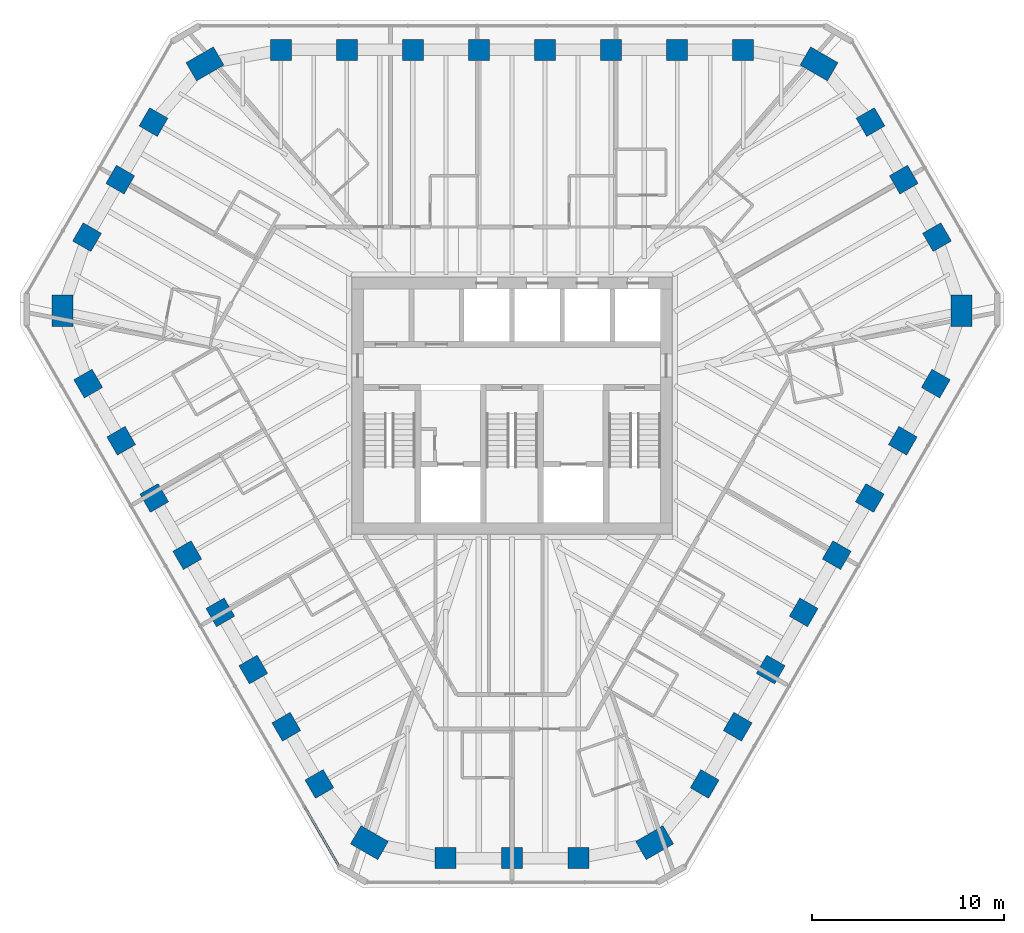
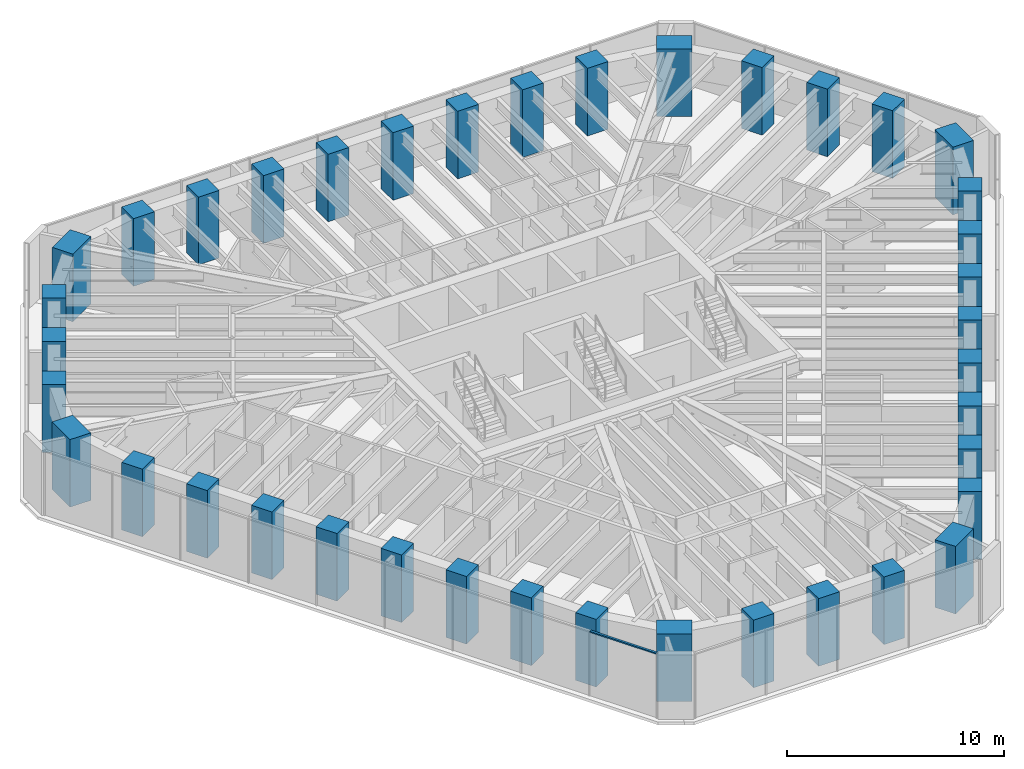
# One storey, part 1 of 14: 39 columns, 1 member, 1 element without a shape of its own.
"""IFC4 building model written with IfcOpenShell, lengths in metres."""

from ifc_helpers import new_model, si_unit, direction, frame, origin, origin_2d, place, context, subcontext, project, spatial, rectangle, extrude, material, material_profile, profile_set, type_object, element, aggregate, save


model = new_model("IFC4")

# Units and contexts
model_context = context("Model", 3, precision=1e-05, world=origin(), true_north=direction((0.0, 1.0)))
body_context = subcontext(model_context, "Body", "Model", "MODEL_VIEW")
ifc_project = project(units=[si_unit("LENGTHUNIT", "METRE"), si_unit("AREAUNIT", "SQUARE_METRE"), si_unit("VOLUMEUNIT", "CUBIC_METRE"), si_unit("PLANEANGLEUNIT", "RADIAN"), si_unit("MASSUNIT", "GRAM", prefix="KILO")], contexts=[model_context])

# Site, building, storey
site_placement = place(None, origin())
site = spatial("IfcSite", under=ifc_project, at=site_placement, CompositionType="ELEMENT")
building_placement = place(site_placement, origin())
building = spatial("IfcBuilding", under=site, at=building_placement, Name="Sandreach Pilgrim Tower", CompositionType="ELEMENT")
storey_placement = place(building_placement, frame((0.0, 0.0, 279.800048828125)))
storey = spatial("IfcBuildingStorey", under=building, at=storey_placement, Name="L70", CompositionType="ELEMENT", Elevation=279.800048828125)

# Columns
ifc_material_1 = material(Name="Concrete 10000 psi", Category="concrete")
ifc_material_profile_1 = material_profile(ifc_material_1, rectangle(XDim=1.10009765625, YDim=1.10009765625, at=origin_2d()), Name="RC1100X1100")
ifc_profile_set_1 = profile_set([ifc_material_profile_1], Name="Concrete 10000 psi")
column_type_1 = type_object("IfcColumnType", Name="Tube column RC1100X1100", PredefinedType="COLUMN", material=ifc_profile_set_1)
for number, where, z_axis, x_axis, name in (
    (1, (-12.0576171875, 18.56640625, 0.0), (0.0, 0.0, 1.0), (0.0, 1.0, 0.0), "COL L70 T01"),
    (2, (-8.612548828125, 18.56640625, 0.0), (0.0, 0.0, 1.0), (0.0, 1.0, 0.0), "COL L70 T02"),
    (3, (-5.16748046875, 18.56640625, 0.0), (0.0, 0.0, 1.0), (0.0, 1.0, 0.0), "COL L70 T03"),
    (4, (-1.722412109375, 18.56640625, 0.0), (0.0, 0.0, 1.0), (0.0, 1.0, 0.0), "COL L70 T04"),
    (5, (1.722412109375, 18.56640625, 0.0), (0.0, 0.0, 1.0), (0.0, 1.0, 0.0), "COL L70 T05"),
    (6, (5.16748046875, 18.56640625, 0.0), (0.0, 0.0, 1.0), (0.0, 1.0, 0.0), "COL L70 T06"),
    (7, (8.612548828125, 18.56640625, 0.0), (0.0, 0.0, 1.0), (0.0, 1.0, 0.0), "COL L70 T07"),
    (8, (12.0576171875, 18.56640625, 0.0), (0.0, 0.0, 1.0), (0.0, 1.0, 0.0), "COL L70 T08"),
    (9, (18.70361328125, 14.80029296875, 0.0), (0.0, 0.0, 1.0), (0.866025403784, 0.5, 0.0), "COL L70 T10"),
    (10, (20.4365234375, 11.799072265625, 0.0), (0.0, 0.0, 1.0), (0.866025403784, 0.5, 0.0), "COL L70 T11"),
    (11, (22.169189453125, 8.7978515625, 0.0), (0.0, 0.0, 1.0), (0.866025403784, 0.5, 0.0), "COL L70 T12"),
    (12, (22.10791015625, 1.158935546875, 0.0), (0.0, 0.0, 1.0), (0.866025403784, -0.5, 0.0), "COL L70 T14"),
    (13, (20.38525390625, -1.824462890625, 0.0), (0.0, 0.0, 1.0), (0.866025403784, -0.5, 0.0), "COL L70 T15"),
    (14, (18.662841796875, -4.80810546875, 0.0), (0.0, 0.0, 1.0), (0.866025403784, -0.5, 0.0), "COL L70 T16"),
    (15, (16.940185546875, -7.79150390625, 0.0), (0.0, 0.0, 1.0), (0.866025403784, -0.5, 0.0), "COL L70 T17"),
    (16, (15.2177734375, -10.77490234375, 0.0), (0.0, 0.0, 1.0), (0.866025403784, -0.5, 0.0), "COL L70 T18"),
    (17, (13.4951171875, -13.758544921875, 0.0), (0.0, 0.0, 1.0), (0.866025403784, -0.5, 0.0), "COL L70 T19"),
    (18, (11.772705078125, -16.741943359375, 0.0), (0.0, 0.0, 1.0), (0.866025403784, -0.5, 0.0), "COL L70 T20"),
    (19, (10.05029296875, -19.725341796875, 0.0), (0.0, 0.0, 1.0), (0.866025403784, -0.5, 0.0), "COL L70 T21"),
    (20, (3.465576171875, -23.59814453125, 0.0), (0.0, 0.0, 1.0), (0.0, -1.0, 0.0), "COL L70 T23"),
    (21, (0.0, -23.59814453125, 0.0), (0.0, 0.0, 1.0), (0.0, -1.0, 0.0), "COL L70 T24"),
    (22, (-3.465576171875, -23.59814453125, 0.0), (0.0, 0.0, 1.0), (0.0, -1.0, 0.0), "COL L70 T25"),
    (23, (-10.05029296875, -19.725341796875, 0.0), (0.0, 0.0, 1.0), (-0.866025403784, -0.5, 0.0), "COL L70 T27"),
    (24, (-11.772705078125, -16.741943359375, 0.0), (0.0, 0.0, 1.0), (-0.866025403784, -0.5, 0.0), "COL L70 T28"),
    (25, (-13.4951171875, -13.758544921875, 0.0), (0.0, 0.0, 1.0), (-0.866025403784, -0.5, 0.0), "COL L70 T29"),
    (26, (-15.2177734375, -10.77490234375, 0.0), (0.0, 0.0, 1.0), (-0.866025403784, -0.5, 0.0), "COL L70 T30"),
    (27, (-16.940185546875, -7.79150390625, 0.0), (0.0, 0.0, 1.0), (-0.866025403784, -0.5, 0.0), "COL L70 T31"),
    (28, (-18.662841796875, -4.80810546875, 0.0), (0.0, 0.0, 1.0), (-0.866025403784, -0.5, 0.0), "COL L70 T32"),
    (29, (-20.38525390625, -1.824462890625, 0.0), (0.0, 0.0, 1.0), (-0.866025403784, -0.5, 0.0), "COL L70 T33"),
    (30, (-22.10791015625, 1.158935546875, 0.0), (0.0, 0.0, 1.0), (-0.866025403784, -0.5, 0.0), "COL L70 T34"),
    (31, (-22.169189453125, 8.7978515625, 0.0), (0.0, 0.0, 1.0), (-0.866025403784, 0.5, 0.0), "COL L70 T36"),
    (32, (-20.4365234375, 11.799072265625, 0.0), (0.0, 0.0, 1.0), (-0.866025403784, 0.5, 0.0), "COL L70 T37"),
    (33, (-18.70361328125, 14.80029296875, 0.0), (0.0, 0.0, 1.0), (-0.866025403784, 0.5, 0.0), "COL L70 T38"),
):
    element("IfcColumn", number, at=place(storey_placement, frame(where, z_axis=z_axis, x_axis=x_axis)), inside=storey, type_object=column_type_1, Name=name, PredefinedType="COLUMN", context=body_context, shape_type="SweptSolid", body=[
        extrude(rectangle(XDim=1.10009765625, YDim=1.10009765625, at=origin_2d()), origin(), (0.0, 0.0, 1.0), 3.800048828125),
    ])
ifc_material_2 = material(Name="Concrete 10000 psi", Category="concrete")
ifc_material_profile_2 = material_profile(ifc_material_2, rectangle(XDim=1.10009765625, YDim=1.64990234375, at=origin_2d()), Name="RC1100X1650")
ifc_profile_set_2 = profile_set([ifc_material_profile_2], Name="Concrete 10000 psi")
column_type_2 = type_object("IfcColumnType", Name="Tube corner pier RC1100X1650", PredefinedType="COLUMN", material=ifc_profile_set_2)
for number, where, z_axis, x_axis, name in (
    (34, (16.0166015625, 17.837158203125, 0.0), (0.0, 0.0, 1.0), (0.5, 0.866025403784, 0.0), "COL L70 T09"),
    (35, (23.455810546875, 4.952392578125, 0.0), (0.0, 0.0, 1.0), (1.0, 0.0, 0.0), "COL L70 T13"),
    (36, (7.439208984375, -22.78955078125, 0.0), (0.0, 0.0, 1.0), (0.5, -0.866025403784, 0.0), "COL L70 T22"),
    (37, (-7.439208984375, -22.78955078125, 0.0), (0.0, 0.0, 1.0), (-0.5, -0.866025403784, 0.0), "COL L70 T26"),
    (38, (-23.455810546875, 4.952392578125, 0.0), (0.0, 0.0, 1.0), (-1.0, 0.0, 0.0), "COL L70 T35"),
    (39, (-16.0166015625, 17.837158203125, 0.0), (0.0, 0.0, 1.0), (-0.5, 0.866025403784, 0.0), "COL L70 T39"),
):
    element("IfcColumn", number, at=place(storey_placement, frame(where, z_axis=z_axis, x_axis=x_axis)), inside=storey, type_object=column_type_2, Name=name, PredefinedType="COLUMN", context=body_context, shape_type="SweptSolid", body=[
        extrude(rectangle(XDim=1.10009765625, YDim=1.64990234375, at=origin_2d()), origin(), (0.0, 0.0, 1.0), 3.800048828125),
    ])

# Curtain wall, member
ifc_material_3 = material(Name="Aluminium framed curtain wall", Category="aluminium")
curtain_wall_type = type_object("IfcCurtainWallType", Name="Suite tower curtain wall", PredefinedType="NOTDEFINED", material=ifc_material_3)
curtain_wall_placement = place(storey_placement, origin())
curtain_wall = element("IfcCurtainWall", 40, at=curtain_wall_placement, inside=storey, type_object=curtain_wall_type, Name="CW-4 L70 SW", PredefinedType="NOTDEFINED")
ifc_material_4 = material(Name="Aluminium extrusion", Category="aluminium")
ifc_material_profile_3 = material_profile(ifc_material_4, rectangle(XDim=0.1201171875, YDim=0.070068359375, at=origin_2d()), Name="CW-4T 120X70")
ifc_profile_set_3 = profile_set([ifc_material_profile_3], Name="Aluminium extrusion")
member_type = type_object("IfcMemberType", Name="CW-4 transom", PredefinedType="USERDEFINED", material=ifc_profile_set_3)
member_placement = place(storey_placement, frame((-9.051025390625, -23.97607421875, 3.60498046875), z_axis=(-0.499997709859, 0.866026725994, 0.0), x_axis=(-0.866026725994, -0.499997709859, 0.0)))
member = element("IfcMember", 41, at=member_placement, type_object=member_type, Name="CW-4 head transom 1", ObjectType="TRANSOM", PredefinedType="USERDEFINED", context=body_context, shape_type="SweptSolid", body=[
    extrude(rectangle(XDim=0.1201171875, YDim=0.070068359375, at=origin_2d()), origin(), (0.0, 0.0, 1.0), 3.53173828125),
])
aggregate(curtain_wall, [member])

save(model, "model.ifc")
